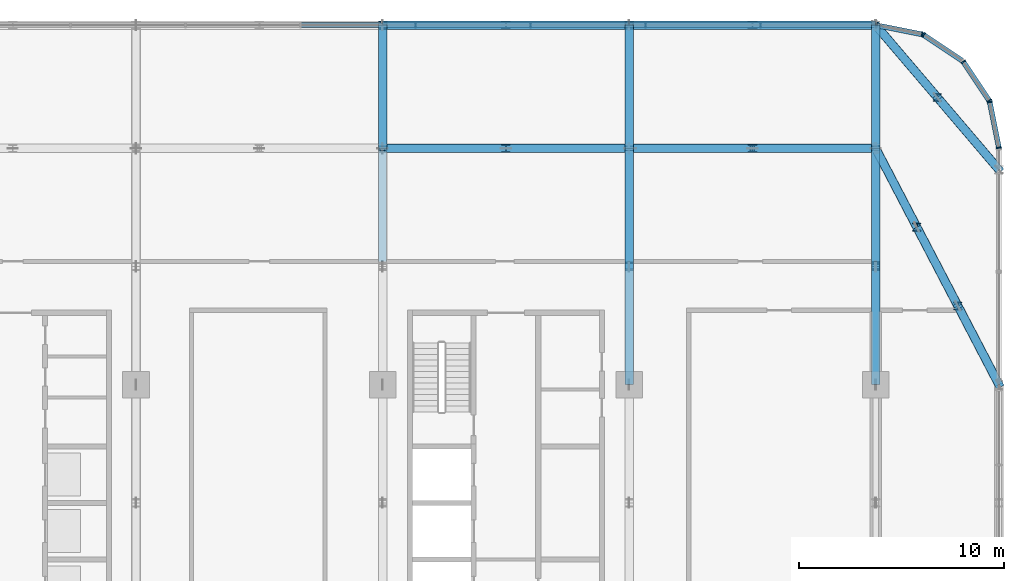
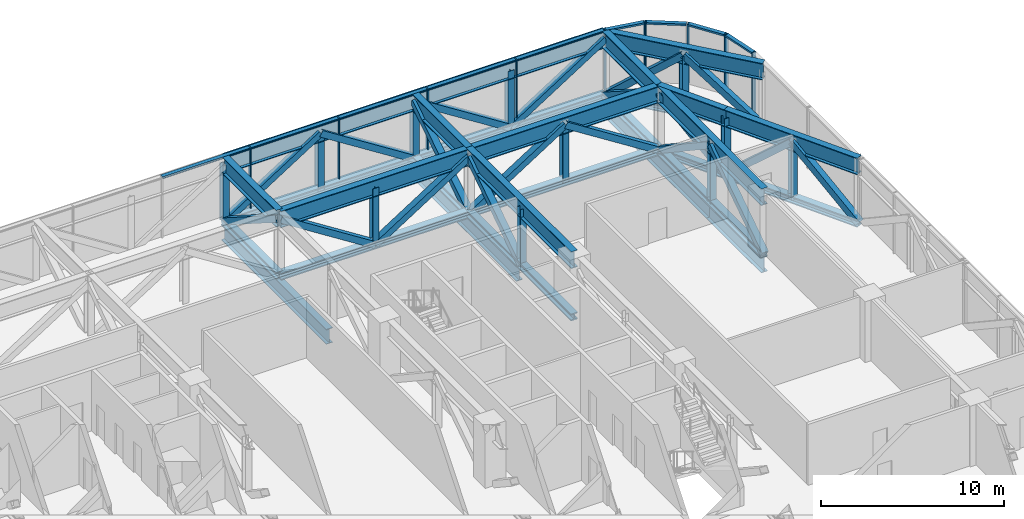
# One storey, part 12 of 30: 74 members, 4 beams, 5 elements without a shape of their own.
"""IFC4 building model written with IfcOpenShell, lengths in metres."""

import ifcopenshell
import ifcopenshell.guid

model = None  # the IFC model being written
_history = None  # IfcOwnerHistory: only IFC2X3 demands one
_inside = {}  # id of a spatial element -> (the spatial element, [elements in it])
_under = {}  # id of a project, library or spatial element -> (it, [spatial elements below it])
_declared = {}  # id of a project -> (the project, [libraries it declares])
_typed = {}  # id of a type object -> (the type object, [elements of that type])
_made_of = {}  # id of a material, layer set ... -> (it, [elements and type objects made of it])


def new_model(schema):
    """Start an empty IFC model of exactly this schema.

    Asked for "IFC4X3", IfcOpenShell would pick the latest addendum, in which some entities
    have other attributes; the version numbers below select the first issue.
    IFC2X3 requires an IfcOwnerHistory on every rooted entity: one is made here for all.
    """
    global model, _history
    if schema == "IFC4X3":
        model = ifcopenshell.file(schema_version=(4, 3, 0, 0))
    else:
        model = ifcopenshell.file(schema=schema)
    _inside.clear()
    _under.clear()
    _declared.clear()
    _typed.clear()
    _made_of.clear()
    _history = None
    if model.schema == "IFC2X3":
        org = make("IfcOrganization", Name="unknown")
        user = make(
            "IfcPersonAndOrganization",
            ThePerson=make("IfcPerson", FamilyName="unknown"),
            TheOrganization=org,
        )
        app = make(
            "IfcApplication",
            ApplicationDeveloper=org,
            Version="unknown",
            ApplicationFullName="unknown",
            ApplicationIdentifier="unknown",
        )
        _history = make(
            "IfcOwnerHistory",
            OwningUser=user,
            OwningApplication=app,
            ChangeAction="ADDED",
            CreationDate=0,
        )
    return model


def make(cls, **values):
    """One entity of the class cls with the attributes given. An attribute that is None is left unset."""
    return model.create_entity(
        cls, **{name: value for name, value in values.items() if value is not None}
    )


def rooted(cls, **values):
    """An entity with a GlobalId (a new one), such as an element, a storey or a relation."""
    return make(cls, GlobalId=ifcopenshell.guid.new(), OwnerHistory=_history, **values)


def si_unit(unit_type, name, prefix=None):
    """IfcSIUnit, for example si_unit("LENGTHUNIT", "METRE", prefix="MILLI")."""
    return make("IfcSIUnit", UnitType=unit_type, Prefix=prefix, Name=name)


def assignment(units):
    """IfcUnitAssignment: the units of a project."""
    return None if units is None else make("IfcUnitAssignment", Units=units)


def point(xyz):
    """IfcCartesianPoint."""
    return None if xyz is None else make("IfcCartesianPoint", Coordinates=xyz)


def direction(xyz):
    """IfcDirection."""
    return None if xyz is None else make("IfcDirection", DirectionRatios=xyz)


def frame(location, z_axis=None, x_axis=None):
    """IfcAxis2Placement3D, a coordinate frame: its origin and axes. An axis left out is left unset."""
    return make(
        "IfcAxis2Placement3D",
        Location=point(location),
        Axis=direction(z_axis),
        RefDirection=direction(x_axis),
    )


def frame_2d(location, x_axis=None):
    """IfcAxis2Placement2D, a coordinate frame in the plane: its origin and x axis."""
    return make(
        "IfcAxis2Placement2D", Location=point(location), RefDirection=direction(x_axis)
    )


def origin():
    """The frame at (0, 0, 0) with its axes left unset."""
    return frame((0.0, 0.0, 0.0))


def origin_2d():
    """The frame at (0, 0) in the plane with its x axis left unset."""
    return frame_2d((0.0, 0.0))


def place(relative_to, where):
    """IfcLocalPlacement: puts the frame where relative to a parent placement (None: the world)."""
    return make(
        "IfcLocalPlacement", PlacementRelTo=relative_to, RelativePlacement=where
    )


def context(
    kind, dimensions, precision=None, world=None, true_north=None, identifier=None
):
    """IfcGeometricRepresentationContext, for example the 3D "Model" context."""
    return make(
        "IfcGeometricRepresentationContext",
        ContextIdentifier=identifier,
        ContextType=kind,
        CoordinateSpaceDimension=dimensions,
        Precision=precision,
        WorldCoordinateSystem=world,
        TrueNorth=true_north,
    )


def subcontext(parent, identifier, kind, view, scale=None):
    """IfcGeometricRepresentationSubContext, for example "Body" below "Model"."""
    return make(
        "IfcGeometricRepresentationSubContext",
        ContextIdentifier=identifier,
        ContextType=kind,
        ParentContext=parent,
        TargetScale=scale,
        TargetView=view,
    )


def project(units=None, contexts=None):
    """IfcProject with its units and contexts."""
    return rooted(
        "IfcProject",
        Name="project",
        RepresentationContexts=contexts,
        UnitsInContext=assignment(units),
    )


def spatial(cls, under=None, at=None, **own):
    """A site, building, storey or space (cls), placed at a placement, below another one or the project."""
    s = rooted(cls, ObjectPlacement=at, **own)
    if under is not None:
        _under.setdefault(under.id(), (under, []))[1].append(s)
    return s


def profile(cls, at=None, kind="AREA", **sizes):
    """A parametric profile (cls). Its sizes go by their IFC names, for example OverallWidth=200.0."""
    return make(cls, ProfileType=kind, Position=at, **sizes)


def rectangle(**sizes):
    """IfcRectangleProfileDef."""
    return profile("IfcRectangleProfileDef", **sizes)


def hollow_rectangle(**sizes):
    """IfcRectangleHollowProfileDef."""
    return profile("IfcRectangleHollowProfileDef", **sizes)


def i_section(**sizes):
    """IfcIShapeProfileDef."""
    return profile("IfcIShapeProfileDef", **sizes)


def extrude(swept, where, along, depth):
    """IfcExtrudedAreaSolid: the profile swept, set in the frame where, extruded along a direction by depth."""
    return make(
        "IfcExtrudedAreaSolid",
        SweptArea=swept,
        Position=where,
        ExtrudedDirection=direction(along),
        Depth=depth,
    )


def shape(context_of_items, identifier, shape_type, items):
    """IfcShapeRepresentation: the items that make up one representation, for example the "Body"."""
    return make(
        "IfcShapeRepresentation",
        ContextOfItems=context_of_items,
        RepresentationIdentifier=identifier,
        RepresentationType=shape_type,
        Items=items,
    )


def material(Name=None, Category=None):
    """IfcMaterial."""
    return make("IfcMaterial", Name=Name, Category=Category)


def material_profile(
    of_material, cross_section, Name=None, Category=None, Priority=None
):
    """IfcMaterialProfile: a cross section and its material."""
    return make(
        "IfcMaterialProfile",
        Name=Name,
        Material=of_material,
        Profile=cross_section,
        Priority=Priority,
        Category=Category,
    )


def profile_set(profiles, Name=None, composite=None):
    """IfcMaterialProfileSet."""
    return make(
        "IfcMaterialProfileSet",
        Name=Name,
        MaterialProfiles=profiles,
        CompositeProfile=composite,
    )


def made_of(thing, what):
    """Note that an element or type object is made of a material, layer set ...; save() writes the relation."""
    if what is not None:
        _made_of.setdefault(what.id(), (what, []))[1].append(thing)
    return thing


def type_object(cls, material=None, **own):
    """A type object (cls), such as IfcWallType, which elements share."""
    return made_of(rooted(cls, **own), material)


def element(
    cls,
    number,
    at=None,
    inside=None,
    cuts=None,
    type_object=None,
    material=None,
    context=None,
    identifier="Body",
    shape_type=None,
    held_by="IfcProductDefinitionShape",
    body=None,
    shapes=None,
    **own,
):
    """One element of the class cls, such as IfcWall. Its Tag is "e" and its number.

    at: its placement. inside: the storey or other place that contains it. cuts: it is an
    opening in that element (IfcRelVoidsElement). A single representation is given by context,
    identifier, shape_type and body (its items); several are given by shapes. held_by: the class
    of the entity that holds the representations. save() writes the other relations.
    """
    e = rooted(cls, Tag="e%d" % number, ObjectPlacement=at, **own)
    if body is not None:
        shapes = [shape(context, identifier, shape_type, body)]
    if shapes is not None:
        e.Representation = make(held_by, Representations=shapes)
    if inside is not None:
        _inside.setdefault(inside.id(), (inside, []))[1].append(e)
    if cuts is not None:
        rooted(
            "IfcRelVoidsElement", RelatingBuildingElement=cuts, RelatedOpeningElement=e
        )
    if type_object is not None:
        _typed.setdefault(type_object.id(), (type_object, []))[1].append(e)
    return made_of(e, material)


def aggregate(whole, parts):
    """IfcRelAggregates: a whole, such as a stair, and the parts it consists of."""
    return rooted("IfcRelAggregates", RelatingObject=whole, RelatedObjects=parts)


def save(model, path):
    """Write the relations noted so far, then the file.

    IfcRelAggregates (storeys below a building ...), IfcRelContainedInSpatialStructure (elements
    in a storey), IfcRelDefinesByType, IfcRelAssociatesMaterial and IfcRelDeclares: one each for
    every whole, place, type object, material and project.
    """
    for whole, parts in _under.values():
        aggregate(whole, parts)
    for where, things in _inside.values():
        rooted(
            "IfcRelContainedInSpatialStructure",
            RelatedElements=things,
            RelatingStructure=where,
        )
    for kind, things in _typed.values():
        rooted("IfcRelDefinesByType", RelatedObjects=things, RelatingType=kind)
    for what, things in _made_of.values():
        rooted("IfcRelAssociatesMaterial", RelatedObjects=things, RelatingMaterial=what)
    for by, libraries in _declared.values():
        rooted("IfcRelDeclares", RelatingContext=by, RelatedDefinitions=libraries)
    model.write(path)


model = new_model("IFC4")

# Units and contexts
model_context = context("Model", 3, precision=1e-05, world=origin(), true_north=direction((0.0, 1.0)))
body_context = subcontext(model_context, "Body", "Model", "MODEL_VIEW")
ifc_project = project(units=[si_unit("LENGTHUNIT", "METRE"), si_unit("AREAUNIT", "SQUARE_METRE"), si_unit("VOLUMEUNIT", "CUBIC_METRE"), si_unit("PLANEANGLEUNIT", "RADIAN"), si_unit("MASSUNIT", "GRAM", prefix="KILO")], contexts=[model_context])

# Site, building, storey
site_placement = place(None, origin())
site = spatial("IfcSite", under=ifc_project, at=site_placement, CompositionType="ELEMENT")
building_placement = place(site_placement, origin())
building = spatial("IfcBuilding", under=site, at=building_placement, Name="Mahtab Terrace Research Tower", CompositionType="ELEMENT")
storey_placement = place(building_placement, frame((0.0, 0.0, 154.800048828125)))
storey = spatial("IfcBuildingStorey", under=building, at=storey_placement, Name="L36", CompositionType="ELEMENT", Elevation=154.800048828125)

# Members
ifc_material_1 = material(Name="Steel ASTM A500 Gr C", Category="steel")
ifc_material_profile_1 = material_profile(ifc_material_1, hollow_rectangle(XDim=0.406494140625, YDim=0.406494140625, WallThickness=0.015869140625, at=origin_2d()), Name="HSS16X16X5/8")
ifc_profile_set_1 = profile_set([ifc_material_profile_1], Name="Steel ASTM A500 Gr C")
member_type_1 = type_object("IfcMemberType", Name="HSS 16x16x5/8 brace TD161658", PredefinedType="BRACE", material=ifc_profile_set_1)
for number, where, z_axis, x_axis, name in (
    (1, (18.0, 29.0, -0.317626953125), (0.0, -0.843619081223, 0.536942125183), (1.0, 0.0, 0.0), "Transfer truss T4 diagonal 092"),
    (2, (18.0, 29.0, -0.317626953125), (0.843619081223, 0.0, 0.536942125183), (0.0, 1.0, 0.0), "Transfer truss T4 diagonal 093"),
    (3, (24.0, 23.0, -0.317626953125), (-0.843619081223, 0.0, 0.536942125183), (0.0, -1.0, 0.0), "Transfer truss T4 diagonal 095"),
    (4, (30.0, 29.0, -0.317626953125), (-0.843619081223, 0.0, 0.536942125183), (0.0, -1.0, 0.0), "Transfer truss T4 diagonal 096"),
):
    element("IfcMember", number, at=place(storey_placement, frame(where, z_axis=z_axis, x_axis=x_axis)), inside=storey, type_object=member_type_1, Name=name, PredefinedType="BRACE", context=body_context, shape_type="SweptSolid", body=[
        extrude(hollow_rectangle(XDim=0.406494140625, YDim=0.406494140625, WallThickness=0.015869140625, at=origin_2d()), origin(), (0.0, 0.0, 1.0), 7.1123046875),
    ])
member_1_placement = place(storey_placement, frame((30.0, 17.25, -0.317626953125), z_axis=(0.0, 0.833017600398, 0.553246488852), x_axis=(-1.0, 0.0, 0.0)))
element("IfcMember", 5, at=member_1_placement, inside=storey, type_object=member_type_1, Name="Transfer truss T4 diagonal 105", PredefinedType="BRACE", context=body_context, shape_type="SweptSolid", body=[
    extrude(hollow_rectangle(XDim=0.406494140625, YDim=0.406494140625, WallThickness=0.015869140625, at=origin_2d()), origin(), (0.0, 0.0, 1.0), 6.902587890625),
])
for number, where, z_axis, x_axis, name in (
    (6, (24.0, 23.0, -0.317626953125), (0.843619081223, 0.0, 0.536942125183), (0.0, 1.0, 0.0), "Transfer truss T4 diagonal 106"),
    (7, (30.0, 23.0, -0.317626953125), (0.0, 0.843619081223, 0.536942125183), (-1.0, 0.0, 0.0), "Transfer truss T4 diagonal 107"),
    (8, (36.0, 29.0, -0.317626953125), (-0.843619081223, 0.0, 0.536942125183), (0.0, -1.0, 0.0), "Transfer truss T4 diagonal 108"),
    (9, (30.0, 23.0, -0.317626953125), (0.843619081223, 0.0, 0.536942125183), (0.0, 1.0, 0.0), "Transfer truss T4 diagonal 110"),
    (10, (36.0, 29.0, -0.317626953125), (0.843619081223, 0.0, 0.536942125183), (0.0, 1.0, 0.0), "Transfer truss T4 diagonal 111"),
):
    element("IfcMember", number, at=place(storey_placement, frame(where, z_axis=z_axis, x_axis=x_axis)), inside=storey, type_object=member_type_1, Name=name, PredefinedType="BRACE", context=body_context, shape_type="SweptSolid", body=[
        extrude(hollow_rectangle(XDim=0.406494140625, YDim=0.406494140625, WallThickness=0.015869140625, at=origin_2d()), origin(), (0.0, 0.0, 1.0), 7.1123046875),
    ])
for number, where, z_axis, x_axis, name in (
    (11, (42.0, 11.5, -0.317626953125), (0.0, 0.833017600398, 0.553246488852), (-1.0, 0.0, 0.0), "Transfer truss T4 diagonal 119"),
    (12, (42.0, 23.0, -0.317626953125), (0.0, -0.833017600398, 0.553246488852), (1.0, 0.0, 0.0), "Transfer truss T4 diagonal 120"),
):
    element("IfcMember", number, at=place(storey_placement, frame(where, z_axis=z_axis, x_axis=x_axis)), inside=storey, type_object=member_type_1, Name=name, PredefinedType="BRACE", context=body_context, shape_type="SweptSolid", body=[
        extrude(hollow_rectangle(XDim=0.406494140625, YDim=0.406494140625, WallThickness=0.015869140625, at=origin_2d()), origin(), (0.0, 0.0, 1.0), 6.902587890625),
    ])
for number, where, z_axis, x_axis, name in (
    (13, (42.0, 23.0, -0.317626953125), (-0.843619081223, 0.0, 0.536942125183), (0.0, -1.0, 0.0), "Transfer truss T4 diagonal 121"),
    (14, (42.0, 29.0, -0.317626953125), (0.0, -0.843619081223, 0.536942125183), (1.0, 0.0, 0.0), "Transfer truss T4 diagonal 122"),
):
    element("IfcMember", number, at=place(storey_placement, frame(where, z_axis=z_axis, x_axis=x_axis)), inside=storey, type_object=member_type_1, Name=name, PredefinedType="BRACE", context=body_context, shape_type="SweptSolid", body=[
        extrude(hollow_rectangle(XDim=0.406494140625, YDim=0.406494140625, WallThickness=0.015869140625, at=origin_2d()), origin(), (0.0, 0.0, 1.0), 7.1123046875),
    ])
member_2_placement = place(storey_placement, frame((42.0, 29.0, -0.317626953125), z_axis=(0.500227510484, -0.586774034514, 0.636764218667), x_axis=(0.760997998974, 0.648754225849, 0.0)))
element("IfcMember", 15, at=member_2_placement, inside=storey, type_object=member_type_1, Name="Transfer truss T4 diagonal 123", PredefinedType="BRACE", context=body_context, shape_type="SweptSolid", body=[
    extrude(hollow_rectangle(XDim=0.406494140625, YDim=0.406494140625, WallThickness=0.015869140625, at=origin_2d()), origin(), (0.0, 0.0, 1.0), 5.997314453125),
])
member_3_placement = place(storey_placement, frame((44.0, 19.1669921875, -0.317626953125), z_axis=(-0.346710822661, 0.66447264597, 0.662017906259), x_axis=(-0.886568735502, -0.462596884155, 0.0)))
element("IfcMember", 16, at=member_3_placement, inside=storey, type_object=member_type_1, Name="Transfer truss T4 diagonal 125", PredefinedType="BRACE", context=body_context, shape_type="SweptSolid", body=[
    extrude(hollow_rectangle(XDim=0.406494140625, YDim=0.406494140625, WallThickness=0.015869140625, at=origin_2d()), origin(), (0.0, 0.0, 1.0), 5.7685546875),
])
member_4_placement = place(storey_placement, frame((48.0, 21.9619140625, -0.317626953125), z_axis=(-0.500227510484, 0.586774034514, 0.636764218667), x_axis=(-0.760997998974, -0.648754225849, 0.0)))
element("IfcMember", 17, at=member_4_placement, inside=storey, type_object=member_type_1, Name="Transfer truss T4 diagonal 126", PredefinedType="BRACE", context=body_context, shape_type="SweptSolid", body=[
    extrude(hollow_rectangle(XDim=0.406494140625, YDim=0.406494140625, WallThickness=0.015869140625, at=origin_2d()), origin(), (0.0, 0.0, 1.0), 5.997314453125),
])
member_5_placement = place(storey_placement, frame((44.0, 19.1669921875, -0.317626953125), z_axis=(0.346671822717, -0.664567175775, 0.661943438835), x_axis=(0.886617057815, 0.462504262457, 0.0)))
element("IfcMember", 18, at=member_5_placement, inside=storey, type_object=member_type_1, Name="Transfer truss T4 diagonal 128", PredefinedType="BRACE", context=body_context, shape_type="SweptSolid", body=[
    extrude(hollow_rectangle(XDim=0.406494140625, YDim=0.406494140625, WallThickness=0.015869140625, at=origin_2d()), origin(), (0.0, 0.0, 1.0), 5.76904296875),
])
member_6_placement = place(storey_placement, frame((48.0, 11.5, -0.317626953125), z_axis=(-0.346710822661, 0.66447264597, 0.662017906259), x_axis=(-0.886568735502, -0.462596884155, 0.0)))
element("IfcMember", 19, at=member_6_placement, inside=storey, type_object=member_type_1, Name="Transfer truss T4 diagonal 133", PredefinedType="BRACE", context=body_context, shape_type="SweptSolid", body=[
    extrude(hollow_rectangle(XDim=0.406494140625, YDim=0.406494140625, WallThickness=0.015869140625, at=origin_2d()), origin(), (0.0, 0.0, 1.0), 5.7685546875),
])

# Curtain wall, members
ifc_material_2 = material(Name="Sky lounge full-height curtain wall")
curtain_wall_type = type_object("IfcCurtainWallType", Name="Sky lounge full-height curtain wall", PredefinedType="NOTDEFINED", material=ifc_material_2)
curtain_wall_1_placement = place(storey_placement, origin())
curtain_wall_1 = element("IfcCurtainWall", 20, at=curtain_wall_1_placement, inside=storey, type_object=curtain_wall_type, Name="EN.L36.1.0", PredefinedType="NOTDEFINED")
ifc_material_3 = material(Name="Natural anodised aluminium", Category="aluminium")
ifc_material_profile_2 = material_profile(ifc_material_3, rectangle(XDim=0.25, YDim=0.070068359375, at=origin_2d()), Name="MULLION 70x250")
ifc_profile_set_2 = profile_set([ifc_material_profile_2], Name="Natural anodised aluminium")
member_type_2 = type_object("IfcMemberType", Name="Sky lounge full-height curtain wall mullion", PredefinedType="MULLION", material=ifc_profile_set_2)
member_7_placement = place(storey_placement, frame((47.9931640625, 23.034423828125, 0.0), z_axis=(0.0, 0.0, 1.0), x_axis=(-0.980760981187, -0.195212442692, 0.0)))
member_7 = element("IfcMember", 21, at=member_7_placement, type_object=member_type_2, Name="CWS-T4 mullion 1", PredefinedType="MULLION", context=body_context, shape_type="SweptSolid", body=[
    extrude(rectangle(XDim=0.25, YDim=0.070068359375, at=origin_2d()), origin(), (0.0, 0.0, 1.0), 4.06005859375),
])
member_8_placement = place(storey_placement, frame((47.5498046875, 25.26171875, 0.0), z_axis=(0.0, 0.0, 1.0), x_axis=(-0.980760981187, -0.195212442692, 0.0)))
member_8 = element("IfcMember", 22, at=member_8_placement, type_object=member_type_2, Name="CWS-T4 mullion 2", PredefinedType="MULLION", context=body_context, shape_type="SweptSolid", body=[
    extrude(rectangle(XDim=0.25, YDim=0.070068359375, at=origin_2d()), origin(), (0.0, 0.0, 1.0), 4.06005859375),
])

curtain_wall_2_placement = place(storey_placement, origin())
curtain_wall_2 = element("IfcCurtainWall", 23, at=curtain_wall_2_placement, inside=storey, type_object=curtain_wall_type, Name="EN.L36.2.0", PredefinedType="NOTDEFINED")
member_9_placement = place(storey_placement, frame((47.523681640625, 25.3251953125, 0.0), z_axis=(0.0, 0.0, 1.0), x_axis=(-0.831655794326, -0.555291490808, 0.0)))
member_9 = element("IfcMember", 24, at=member_9_placement, type_object=member_type_2, Name="CWS-T4 mullion 1", PredefinedType="MULLION", context=body_context, shape_type="SweptSolid", body=[
    extrude(rectangle(XDim=0.25, YDim=0.070068359375, at=origin_2d()), origin(), (0.0, 0.0, 1.0), 4.06005859375),
])
member_10_placement = place(storey_placement, frame((46.262451171875, 27.2138671875, 0.0), z_axis=(0.0, 0.0, 1.0), x_axis=(-0.831655794326, -0.555291490808, 0.0)))
member_10 = element("IfcMember", 25, at=member_10_placement, type_object=member_type_2, Name="CWS-T4 mullion 2", PredefinedType="MULLION", context=body_context, shape_type="SweptSolid", body=[
    extrude(rectangle(XDim=0.25, YDim=0.070068359375, at=origin_2d()), origin(), (0.0, 0.0, 1.0), 4.06005859375),
])

# Curtain wall, member
curtain_wall_3_placement = place(storey_placement, origin())
curtain_wall_3 = element("IfcCurtainWall", 26, at=curtain_wall_3_placement, inside=storey, type_object=curtain_wall_type, Name="EN.L36.3.0", PredefinedType="NOTDEFINED")
member_11_placement = place(storey_placement, frame((44.3251953125, 28.523681640625, 0.0), z_axis=(0.0, 0.0, 1.0), x_axis=(-0.555291490808, -0.831655794326, 0.0)))
member_11 = element("IfcMember", 27, at=member_11_placement, type_object=member_type_2, Name="CWS-T4 mullion 2", PredefinedType="MULLION", context=body_context, shape_type="SweptSolid", body=[
    extrude(rectangle(XDim=0.25, YDim=0.070068359375, at=origin_2d()), origin(), (0.0, 0.0, 1.0), 4.06005859375),
])

# Curtain wall, members
curtain_wall_4_placement = place(storey_placement, origin())
curtain_wall_4 = element("IfcCurtainWall", 28, at=curtain_wall_4_placement, inside=storey, type_object=curtain_wall_type, Name="EN.L36.4.0", PredefinedType="NOTDEFINED")
member_12_placement = place(storey_placement, frame((44.26171875, 28.5498046875, 0.0), z_axis=(0.0, 0.0, 1.0), x_axis=(-0.195212442692, -0.980760981187, 0.0)))
member_12 = element("IfcMember", 29, at=member_12_placement, type_object=member_type_2, Name="CWS-T4 mullion 1", PredefinedType="MULLION", context=body_context, shape_type="SweptSolid", body=[
    extrude(rectangle(XDim=0.25, YDim=0.070068359375, at=origin_2d()), origin(), (0.0, 0.0, 1.0), 4.06005859375),
])
member_13_placement = place(storey_placement, frame((42.034423828125, 28.9931640625, 0.0), z_axis=(0.0, 0.0, 1.0), x_axis=(-0.195212442692, -0.980760981187, 0.0)))
member_13 = element("IfcMember", 30, at=member_13_placement, type_object=member_type_2, Name="CWS-T4 mullion 2", PredefinedType="MULLION", context=body_context, shape_type="SweptSolid", body=[
    extrude(rectangle(XDim=0.25, YDim=0.070068359375, at=origin_2d()), origin(), (0.0, 0.0, 1.0), 4.06005859375),
])

curtain_wall_5_placement = place(storey_placement, origin())
curtain_wall_5 = element("IfcCurtainWall", 31, at=curtain_wall_5_placement, inside=storey, type_object=curtain_wall_type, Name="EN.L36.5.0", PredefinedType="NOTDEFINED")
member_14_placement = place(storey_placement, frame((36.39990234375, 29.0, 0.0), z_axis=(0.0, 0.0, 1.0), x_axis=(0.0, -1.0, 0.0)))
member_14 = element("IfcMember", 32, at=member_14_placement, type_object=member_type_2, Name="CWS-T4 mullion 2", PredefinedType="MULLION", context=body_context, shape_type="SweptSolid", body=[
    extrude(rectangle(XDim=0.25, YDim=0.070068359375, at=origin_2d()), origin(), (0.0, 0.0, 1.0), 4.06005859375),
])
member_15_placement = place(storey_placement, frame((30.800048828125, 29.0, 0.0), z_axis=(0.0, 0.0, 1.0), x_axis=(0.0, -1.0, 0.0)))
member_15 = element("IfcMember", 33, at=member_15_placement, type_object=member_type_2, Name="CWS-T4 mullion 3", PredefinedType="MULLION", context=body_context, shape_type="SweptSolid", body=[
    extrude(rectangle(XDim=0.25, YDim=0.070068359375, at=origin_2d()), origin(), (0.0, 0.0, 1.0), 4.06005859375),
])
member_16_placement = place(storey_placement, frame((25.199951171875, 29.0, 0.0), z_axis=(0.0, 0.0, 1.0), x_axis=(0.0, -1.0, 0.0)))
member_16 = element("IfcMember", 34, at=member_16_placement, type_object=member_type_2, Name="CWS-T4 mullion 4", PredefinedType="MULLION", context=body_context, shape_type="SweptSolid", body=[
    extrude(rectangle(XDim=0.25, YDim=0.070068359375, at=origin_2d()), origin(), (0.0, 0.0, 1.0), 4.06005859375),
])
member_17_placement = place(storey_placement, frame((19.60009765625, 29.0, 0.0), z_axis=(0.0, 0.0, 1.0), x_axis=(0.0, -1.0, 0.0)))
member_17 = element("IfcMember", 35, at=member_17_placement, type_object=member_type_2, Name="CWS-T4 mullion 5", PredefinedType="MULLION", context=body_context, shape_type="SweptSolid", body=[
    extrude(rectangle(XDim=0.25, YDim=0.070068359375, at=origin_2d()), origin(), (0.0, 0.0, 1.0), 4.06005859375),
])

# Member
ifc_material_profile_3 = material_profile(ifc_material_3, rectangle(XDim=0.25, YDim=0.1201171875, at=origin_2d()), Name="TRANSOM 120x250")
ifc_profile_set_3 = profile_set([ifc_material_profile_3], Name="Natural anodised aluminium")
member_type_3 = type_object("IfcMemberType", Name="Sky lounge full-height curtain wall transom", PredefinedType="USERDEFINED", material=ifc_profile_set_3)
member_18_placement = place(storey_placement, frame((47.986328125, 23.068603515625, 4.0), z_axis=(-0.195220156588, 0.980759445767, 0.0), x_axis=(-0.980759445767, -0.195220156588, 0.0)))
member_18 = element("IfcMember", 36, at=member_18_placement, type_object=member_type_3, Name="CWS-T4 transom 1", ObjectType="TRANSOM", PredefinedType="USERDEFINED", context=body_context, shape_type="SweptSolid", body=[
    extrude(rectangle(XDim=0.25, YDim=0.1201171875, at=origin_2d()), origin(), (0.0, 0.0, 1.0), 2.200927734375),
])

aggregate(curtain_wall_1, [member_7, member_8, member_18])

member_19_placement = place(storey_placement, frame((47.504150390625, 25.354248046875, 4.0), z_axis=(-0.555263199137, 0.831674683806, 0.0), x_axis=(-0.831674683806, -0.555263199137, 0.0)))
member_19 = element("IfcMember", 37, at=member_19_placement, type_object=member_type_3, Name="CWS-T4 transom 1", ObjectType="TRANSOM", PredefinedType="USERDEFINED", context=body_context, shape_type="SweptSolid", body=[
    extrude(rectangle(XDim=0.25, YDim=0.1201171875, at=origin_2d()), origin(), (0.0, 0.0, 1.0), 2.201171875),
])

aggregate(curtain_wall_2, [member_9, member_10, member_19])

member_20_placement = place(storey_placement, frame((46.184814453125, 27.281982421875, 4.0), z_axis=(-0.831674683806, 0.555263199137, 0.0), x_axis=(-0.555263199137, -0.831674683806, 0.0)))
member_20 = element("IfcMember", 38, at=member_20_placement, type_object=member_type_3, Name="CWS-T4 transom 1", ObjectType="TRANSOM", PredefinedType="USERDEFINED", context=body_context, shape_type="SweptSolid", body=[
    extrude(rectangle(XDim=0.25, YDim=0.1201171875, at=origin_2d()), origin(), (0.0, 0.0, 1.0), 2.201171875),
])

aggregate(curtain_wall_3, [member_11, member_20])

member_21_placement = place(storey_placement, frame((44.227294921875, 28.556640625, 4.0), z_axis=(-0.980759445767, 0.195220156588, 0.0), x_axis=(-0.195220156588, -0.980759445767, 0.0)))
member_21 = element("IfcMember", 39, at=member_21_placement, type_object=member_type_3, Name="CWS-T4 transom 1", ObjectType="TRANSOM", PredefinedType="USERDEFINED", context=body_context, shape_type="SweptSolid", body=[
    extrude(rectangle(XDim=0.25, YDim=0.1201171875, at=origin_2d()), origin(), (0.0, 0.0, 1.0), 2.200927734375),
])

aggregate(curtain_wall_4, [member_12, member_13, member_21])

member_22_placement = place(storey_placement, frame((41.929931640625, 29.0, 4.0), z_axis=(-1.0, 0.0, 0.0), x_axis=(0.0, -1.0, 0.0)))
member_22 = element("IfcMember", 40, at=member_22_placement, type_object=member_type_3, Name="CWS-T4 transom 1", ObjectType="TRANSOM", PredefinedType="USERDEFINED", context=body_context, shape_type="SweptSolid", body=[
    extrude(rectangle(XDim=0.25, YDim=0.1201171875, at=origin_2d()), origin(), (0.0, 0.0, 1.0), 5.494873046875),
])

member_23_placement = place(storey_placement, frame((36.364990234375, 29.0, 4.0), z_axis=(-1.0, 0.0, 0.0), x_axis=(0.0, -1.0, 0.0)))
member_23 = element("IfcMember", 41, at=member_23_placement, type_object=member_type_3, Name="CWS-T4 transom 2", ObjectType="TRANSOM", PredefinedType="USERDEFINED", context=body_context, shape_type="SweptSolid", body=[
    extrude(rectangle(XDim=0.25, YDim=0.1201171875, at=origin_2d()), origin(), (0.0, 0.0, 1.0), 5.530029296875),
])

member_24_placement = place(storey_placement, frame((30.764892578125, 29.0, 4.0), z_axis=(-1.0, 0.0, 0.0), x_axis=(0.0, -1.0, 0.0)))
member_24 = element("IfcMember", 42, at=member_24_placement, type_object=member_type_3, Name="CWS-T4 transom 3", ObjectType="TRANSOM", PredefinedType="USERDEFINED", context=body_context, shape_type="SweptSolid", body=[
    extrude(rectangle(XDim=0.25, YDim=0.1201171875, at=origin_2d()), origin(), (0.0, 0.0, 1.0), 5.52978515625),
])

member_25_placement = place(storey_placement, frame((25.1650390625, 29.0, 4.0), z_axis=(-1.0, 0.0, 0.0), x_axis=(0.0, -1.0, 0.0)))
member_25 = element("IfcMember", 43, at=member_25_placement, type_object=member_type_3, Name="CWS-T4 transom 4", ObjectType="TRANSOM", PredefinedType="USERDEFINED", context=body_context, shape_type="SweptSolid", body=[
    extrude(rectangle(XDim=0.25, YDim=0.1201171875, at=origin_2d()), origin(), (0.0, 0.0, 1.0), 5.530029296875),
])

member_26_placement = place(storey_placement, frame((19.56494140625, 29.0, 4.0), z_axis=(-1.0, 0.0, 0.0), x_axis=(0.0, -1.0, 0.0)))
member_26 = element("IfcMember", 44, at=member_26_placement, type_object=member_type_3, Name="CWS-T4 transom 5", ObjectType="TRANSOM", PredefinedType="USERDEFINED", context=body_context, shape_type="SweptSolid", body=[
    extrude(rectangle(XDim=0.25, YDim=0.1201171875, at=origin_2d()), origin(), (0.0, 0.0, 1.0), 5.530029296875),
])

aggregate(curtain_wall_5, [member_14, member_15, member_16, member_17, member_22, member_23, member_24, member_25, member_26])

# Members
ifc_material_4 = material(Name="Steel ASTM A992 Gr 50", Category="steel")
ifc_material_profile_4 = material_profile(ifc_material_4, i_section(OverallWidth=0.396240234375, OverallDepth=0.381103515625, WebThickness=0.018798828125, FlangeThickness=0.0302734375, at=origin_2d()), Name="W14X159")
ifc_profile_set_4 = profile_set([ifc_material_profile_4], Name="Steel ASTM A992 Gr 50")
member_type_4 = type_object("IfcMemberType", Name="W14x159 post TP14159", PredefinedType="POST", material=ifc_profile_set_4)
for number, where, z_axis, x_axis, name in (
    (45, (18.0, 29.0, -0.317626953125), (0.0, 0.0, 1.0), (1.0, 0.0, 0.0), "Transfer truss T4 post 083"),
    (46, (24.0, 23.0, -0.317626953125), (0.0, 0.0, 1.0), (1.0, 0.0, 0.0), "Transfer truss T4 post 085"),
    (47, (24.0, 29.0, -0.317626953125), (0.0, 0.0, 1.0), (1.0, 0.0, 0.0), "Transfer truss T4 post 086"),
    (48, (30.0, 17.25, -0.317626953125), (0.0, 0.0, 1.0), (1.0, 0.0, 0.0), "Transfer truss T4 post 094"),
    (49, (30.0, 29.0, -0.317626953125), (0.0, 0.0, 1.0), (1.0, 0.0, 0.0), "Transfer truss T4 post 096"),
    (50, (36.0, 23.0, -0.317626953125), (0.0, 0.0, 1.0), (1.0, 0.0, 0.0), "Transfer truss T4 post 098"),
    (51, (36.0, 29.0, -0.317626953125), (0.0, 0.0, 1.0), (1.0, 0.0, 0.0), "Transfer truss T4 post 099"),
    (52, (42.0, 17.25, -0.317626953125), (0.0, 0.0, 1.0), (1.0, 0.0, 0.0), "Transfer truss T4 post 107"),
    (53, (44.0, 19.169921875, -0.317626953125), (0.0, 0.0, 1.0), (1.0, 0.0, 0.0), "Transfer truss T4 post 111"),
    (54, (45.0, 25.47998046875, -0.317626953125), (0.0, 0.0, 1.0), (1.0, 0.0, 0.0), "Transfer truss T4 post 112"),
    (55, (46.0, 15.330078125, -0.317626953125), (0.0, 0.0, 1.0), (1.0, 0.0, 0.0), "Transfer truss T4 post 114"),
):
    element("IfcMember", number, at=place(storey_placement, frame(where, z_axis=z_axis, x_axis=x_axis)), inside=storey, type_object=member_type_4, Name=name, PredefinedType="POST", context=body_context, shape_type="SweptSolid", body=[
        extrude(i_section(OverallWidth=0.396240234375, OverallDepth=0.381103515625, WebThickness=0.018798828125, FlangeThickness=0.0302734375, at=origin_2d()), origin(), (0.0, 0.0, 1.0), 3.81884765625),
    ])
ifc_material_profile_5 = material_profile(ifc_material_4, i_section(OverallWidth=0.421630859375, OverallDepth=0.46484375, WebThickness=0.044921875, FlangeThickness=0.072509765625, at=origin_2d()), Name="W14X398")
ifc_profile_set_5 = profile_set([ifc_material_profile_5], Name="Steel ASTM A992 Gr 50")
member_type_5 = type_object("IfcMemberType", Name="W14x398 chord TC14398", PredefinedType="CHORD", material=ifc_profile_set_5)
for number, where, z_axis, x_axis, name in (
    (56, (42.0, 23.0, -0.317626953125), (-1.0, 0.0, 0.0), (0.0, -1.0, 0.0), "Transfer truss T4 bottom chord 008"),
    (57, (30.0, 23.0, -0.317626953125), (-1.0, 0.0, 0.0), (0.0, -1.0, 0.0), "Transfer truss T4 bottom chord 009"),
    (58, (18.0, 29.0, -0.317626953125), (1.0, 0.0, 0.0), (0.0, 1.0, 0.0), "Transfer truss T4 bottom chord 031"),
    (59, (30.0, 29.0, -0.317626953125), (1.0, 0.0, 0.0), (0.0, 1.0, 0.0), "Transfer truss T4 bottom chord 032"),
):
    element("IfcMember", number, at=place(storey_placement, frame(where, z_axis=z_axis, x_axis=x_axis)), inside=storey, type_object=member_type_5, Name=name, PredefinedType="CHORD", context=body_context, shape_type="SweptSolid", body=[
        extrude(i_section(OverallWidth=0.421630859375, OverallDepth=0.46484375, WebThickness=0.044921875, FlangeThickness=0.072509765625, at=origin_2d()), origin(), (0.0, 0.0, 1.0), 12.0),
    ])
member_27_placement = place(storey_placement, frame((18.0, 23.0, -0.317626953125), z_axis=(0.0, 1.0, 0.0), x_axis=(-1.0, 0.0, 0.0)))
element("IfcMember", 60, at=member_27_placement, inside=storey, type_object=member_type_5, Name="Transfer truss T4 bottom chord 062", PredefinedType="CHORD", context=body_context, shape_type="SweptSolid", body=[
    extrude(i_section(OverallWidth=0.421630859375, OverallDepth=0.46484375, WebThickness=0.044921875, FlangeThickness=0.072509765625, at=origin_2d()), origin(), (0.0, 0.0, 1.0), 6.0),
])
member_28_placement = place(storey_placement, frame((30.0, 11.5, -0.317626953125), z_axis=(0.0, 1.0, 0.0), x_axis=(-1.0, 0.0, 0.0)))
element("IfcMember", 61, at=member_28_placement, inside=storey, type_object=member_type_5, Name="Transfer truss T4 bottom chord 067", PredefinedType="CHORD", context=body_context, shape_type="SweptSolid", body=[
    extrude(i_section(OverallWidth=0.421630859375, OverallDepth=0.46484375, WebThickness=0.044921875, FlangeThickness=0.072509765625, at=origin_2d()), origin(), (0.0, 0.0, 1.0), 11.5),
])
member_29_placement = place(storey_placement, frame((30.0, 23.0, -0.317626953125), z_axis=(0.0, 1.0, 0.0), x_axis=(-1.0, 0.0, 0.0)))
element("IfcMember", 62, at=member_29_placement, inside=storey, type_object=member_type_5, Name="Transfer truss T4 bottom chord 068", PredefinedType="CHORD", context=body_context, shape_type="SweptSolid", body=[
    extrude(i_section(OverallWidth=0.421630859375, OverallDepth=0.46484375, WebThickness=0.044921875, FlangeThickness=0.072509765625, at=origin_2d()), origin(), (0.0, 0.0, 1.0), 6.0),
])
member_30_placement = place(storey_placement, frame((42.0, 11.5, -0.317626953125), z_axis=(0.0, 1.0, 0.0), x_axis=(-1.0, 0.0, 0.0)))
element("IfcMember", 63, at=member_30_placement, inside=storey, type_object=member_type_5, Name="Transfer truss T4 bottom chord 075", PredefinedType="CHORD", context=body_context, shape_type="SweptSolid", body=[
    extrude(i_section(OverallWidth=0.421630859375, OverallDepth=0.46484375, WebThickness=0.044921875, FlangeThickness=0.072509765625, at=origin_2d()), origin(), (0.0, 0.0, 1.0), 11.5),
])
member_31_placement = place(storey_placement, frame((42.0, 23.0, -0.317626953125), z_axis=(0.0, 1.0, 0.0), x_axis=(-1.0, 0.0, 0.0)))
element("IfcMember", 64, at=member_31_placement, inside=storey, type_object=member_type_5, Name="Transfer truss T4 bottom chord 076", PredefinedType="CHORD", context=body_context, shape_type="SweptSolid", body=[
    extrude(i_section(OverallWidth=0.421630859375, OverallDepth=0.46484375, WebThickness=0.044921875, FlangeThickness=0.072509765625, at=origin_2d()), origin(), (0.0, 0.0, 1.0), 6.0),
])
member_32_placement = place(storey_placement, frame((48.0, 11.5, -0.317626953125), z_axis=(-0.4625505693, 0.886592900287, 0.0), x_axis=(-0.886592900287, -0.4625505693, 0.0)))
element("IfcMember", 65, at=member_32_placement, inside=storey, type_object=member_type_5, Name="Transfer truss T4 bottom chord 077", PredefinedType="CHORD", context=body_context, shape_type="SweptSolid", body=[
    extrude(i_section(OverallWidth=0.421630859375, OverallDepth=0.46484375, WebThickness=0.044921875, FlangeThickness=0.072509765625, at=origin_2d()), origin(), (0.0, 0.0, 1.0), 8.647705078125),
])
member_33_placement = place(storey_placement, frame((44.0, 19.1669921875, -0.317626953125), z_axis=(-0.462596884155, 0.886568735502, 0.0), x_axis=(-0.886568735502, -0.462596884155, 0.0)))
element("IfcMember", 66, at=member_33_placement, inside=storey, type_object=member_type_5, Name="Transfer truss T4 bottom chord 078", PredefinedType="CHORD", context=body_context, shape_type="SweptSolid", body=[
    extrude(i_section(OverallWidth=0.421630859375, OverallDepth=0.46484375, WebThickness=0.044921875, FlangeThickness=0.072509765625, at=origin_2d()), origin(), (0.0, 0.0, 1.0), 4.323486328125),
])
member_34_placement = place(storey_placement, frame((42.0, 29.0, -0.317626953125), z_axis=(0.648754225849, -0.760997998974, 0.0), x_axis=(0.760997998974, 0.648754225849, 0.0)))
element("IfcMember", 67, at=member_34_placement, inside=storey, type_object=member_type_5, Name="Transfer truss T4 bottom chord 079", PredefinedType="CHORD", context=body_context, shape_type="SweptSolid", body=[
    extrude(i_section(OverallWidth=0.421630859375, OverallDepth=0.46484375, WebThickness=0.044921875, FlangeThickness=0.072509765625, at=origin_2d()), origin(), (0.0, 0.0, 1.0), 9.24853515625),
])

# Beams
ifc_material_profile_6 = material_profile(ifc_material_4, i_section(OverallWidth=0.4013671875, OverallDepth=1.000732421875, WebThickness=0.01904296875, FlangeThickness=0.0361328125, at=origin_2d()), Name="W40X249")
ifc_profile_set_6 = profile_set([ifc_material_profile_6], Name="Steel ASTM A992 Gr 50")
beam_type = type_object("IfcBeamType", Name="W40x249 transfer girder TG40249", PredefinedType="BEAM", material=ifc_profile_set_6)
beam_placement = place(storey_placement, frame((42.0, 11.5, -1.04833984375), z_axis=(0.0, 1.0, 0.0), x_axis=(-1.0, 0.0, 0.0)))
element("IfcBeam", 68, at=beam_placement, inside=storey, type_object=beam_type, Name="Transfer girder T4 02", PredefinedType="BEAM", context=body_context, shape_type="SweptSolid", body=[
    extrude(i_section(OverallWidth=0.4013671875, OverallDepth=1.000732421875, WebThickness=0.01904296875, FlangeThickness=0.0361328125, at=origin_2d()), origin(), (0.0, 0.0, 1.0), 6.0),
])
for number, where, z_axis, x_axis, name in (
    (69, (42.0, 17.5, -1.04833984375), (0.0, 1.0, 0.0), (-1.0, 0.0, 0.0), "Transfer girder T4 03"),
    (70, (30.0, 17.5, -1.04833984375), (0.0, 1.0, 0.0), (-1.0, 0.0, 0.0), "Transfer girder T4 06"),
    (71, (18.0, 17.5, -1.04833984375), (0.0, 1.0, 0.0), (-1.0, 0.0, 0.0), "Transfer girder T4 09"),
):
    element("IfcBeam", number, at=place(storey_placement, frame(where, z_axis=z_axis, x_axis=x_axis)), inside=storey, type_object=beam_type, Name=name, PredefinedType="BEAM", context=body_context, shape_type="SweptSolid", body=[
        extrude(i_section(OverallWidth=0.4013671875, OverallDepth=1.000732421875, WebThickness=0.01904296875, FlangeThickness=0.0361328125, at=origin_2d()), origin(), (0.0, 0.0, 1.0), 11.5),
    ])

# Members
ifc_material_profile_7 = material_profile(ifc_material_4, i_section(OverallWidth=0.40380859375, OverallDepth=1.11767578125, WebThickness=0.026123046875, FlangeThickness=0.044921875, at=origin_2d()), Name="W44X335")
ifc_profile_set_7 = profile_set([ifc_material_profile_7], Name="Steel ASTM A992 Gr 50")
member_type_6 = type_object("IfcMemberType", Name="W44x335 chord TT44335", PredefinedType="CHORD", material=ifc_profile_set_7)
for number, where, z_axis, x_axis, name in (
    (72, (42.0, 23.0, 3.501220703125), (-1.0, 0.0, 0.0), (0.0, -1.0, 0.0), "Transfer truss T4 top chord 007"),
    (73, (30.0, 23.0, 3.501220703125), (-1.0, 0.0, 0.0), (0.0, -1.0, 0.0), "Transfer truss T4 top chord 008"),
    (74, (18.0, 29.0, 3.501220703125), (1.0, 0.0, 0.0), (0.0, 1.0, 0.0), "Transfer truss T4 top chord 030"),
    (75, (30.0, 29.0, 3.501220703125), (1.0, 0.0, 0.0), (0.0, 1.0, 0.0), "Transfer truss T4 top chord 031"),
):
    element("IfcMember", number, at=place(storey_placement, frame(where, z_axis=z_axis, x_axis=x_axis)), inside=storey, type_object=member_type_6, Name=name, PredefinedType="CHORD", context=body_context, shape_type="SweptSolid", body=[
        extrude(i_section(OverallWidth=0.40380859375, OverallDepth=1.11767578125, WebThickness=0.026123046875, FlangeThickness=0.044921875, at=origin_2d()), origin(), (0.0, 0.0, 1.0), 12.0),
    ])
member_35_placement = place(storey_placement, frame((18.0, 23.0, 3.501220703125), z_axis=(0.0, 1.0, 0.0), x_axis=(-1.0, 0.0, 0.0)))
element("IfcMember", 76, at=member_35_placement, inside=storey, type_object=member_type_6, Name="Transfer truss T4 top chord 061", PredefinedType="CHORD", context=body_context, shape_type="SweptSolid", body=[
    extrude(i_section(OverallWidth=0.40380859375, OverallDepth=1.11767578125, WebThickness=0.026123046875, FlangeThickness=0.044921875, at=origin_2d()), origin(), (0.0, 0.0, 1.0), 6.0),
])
member_36_placement = place(storey_placement, frame((30.0, 11.5, 3.501220703125), z_axis=(0.0, 1.0, 0.0), x_axis=(-1.0, 0.0, 0.0)))
element("IfcMember", 77, at=member_36_placement, inside=storey, type_object=member_type_6, Name="Transfer truss T4 top chord 066", PredefinedType="CHORD", context=body_context, shape_type="SweptSolid", body=[
    extrude(i_section(OverallWidth=0.40380859375, OverallDepth=1.11767578125, WebThickness=0.026123046875, FlangeThickness=0.044921875, at=origin_2d()), origin(), (0.0, 0.0, 1.0), 11.5),
])
member_37_placement = place(storey_placement, frame((30.0, 23.0, 3.501220703125), z_axis=(0.0, 1.0, 0.0), x_axis=(-1.0, 0.0, 0.0)))
element("IfcMember", 78, at=member_37_placement, inside=storey, type_object=member_type_6, Name="Transfer truss T4 top chord 067", PredefinedType="CHORD", context=body_context, shape_type="SweptSolid", body=[
    extrude(i_section(OverallWidth=0.40380859375, OverallDepth=1.11767578125, WebThickness=0.026123046875, FlangeThickness=0.044921875, at=origin_2d()), origin(), (0.0, 0.0, 1.0), 6.0),
])
member_38_placement = place(storey_placement, frame((42.0, 11.5, 3.501220703125), z_axis=(0.0, 1.0, 0.0), x_axis=(-1.0, 0.0, 0.0)))
element("IfcMember", 79, at=member_38_placement, inside=storey, type_object=member_type_6, Name="Transfer truss T4 top chord 074", PredefinedType="CHORD", context=body_context, shape_type="SweptSolid", body=[
    extrude(i_section(OverallWidth=0.40380859375, OverallDepth=1.11767578125, WebThickness=0.026123046875, FlangeThickness=0.044921875, at=origin_2d()), origin(), (0.0, 0.0, 1.0), 11.5),
])
member_39_placement = place(storey_placement, frame((42.0, 23.0, 3.501220703125), z_axis=(0.0, 1.0, 0.0), x_axis=(-1.0, 0.0, 0.0)))
element("IfcMember", 80, at=member_39_placement, inside=storey, type_object=member_type_6, Name="Transfer truss T4 top chord 075", PredefinedType="CHORD", context=body_context, shape_type="SweptSolid", body=[
    extrude(i_section(OverallWidth=0.40380859375, OverallDepth=1.11767578125, WebThickness=0.026123046875, FlangeThickness=0.044921875, at=origin_2d()), origin(), (0.0, 0.0, 1.0), 6.0),
])
member_40_placement = place(storey_placement, frame((48.0, 11.5, 3.501220703125), z_axis=(-0.4625505693, 0.886592900287, 0.0), x_axis=(-0.886592900287, -0.4625505693, 0.0)))
element("IfcMember", 81, at=member_40_placement, inside=storey, type_object=member_type_6, Name="Transfer truss T4 top chord 076", PredefinedType="CHORD", context=body_context, shape_type="SweptSolid", body=[
    extrude(i_section(OverallWidth=0.40380859375, OverallDepth=1.11767578125, WebThickness=0.026123046875, FlangeThickness=0.044921875, at=origin_2d()), origin(), (0.0, 0.0, 1.0), 8.647705078125),
])
member_41_placement = place(storey_placement, frame((44.0, 19.1669921875, 3.501220703125), z_axis=(-0.462596884155, 0.886568735502, 0.0), x_axis=(-0.886568735502, -0.462596884155, 0.0)))
element("IfcMember", 82, at=member_41_placement, inside=storey, type_object=member_type_6, Name="Transfer truss T4 top chord 077", PredefinedType="CHORD", context=body_context, shape_type="SweptSolid", body=[
    extrude(i_section(OverallWidth=0.40380859375, OverallDepth=1.11767578125, WebThickness=0.026123046875, FlangeThickness=0.044921875, at=origin_2d()), origin(), (0.0, 0.0, 1.0), 4.323486328125),
])
member_42_placement = place(storey_placement, frame((42.0, 29.0, 3.501220703125), z_axis=(0.648754225849, -0.760997998974, 0.0), x_axis=(0.760997998974, 0.648754225849, 0.0)))
element("IfcMember", 83, at=member_42_placement, inside=storey, type_object=member_type_6, Name="Transfer truss T4 top chord 078", PredefinedType="CHORD", context=body_context, shape_type="SweptSolid", body=[
    extrude(i_section(OverallWidth=0.40380859375, OverallDepth=1.11767578125, WebThickness=0.026123046875, FlangeThickness=0.044921875, at=origin_2d()), origin(), (0.0, 0.0, 1.0), 9.24853515625),
])

save(model, "model.ifc")
